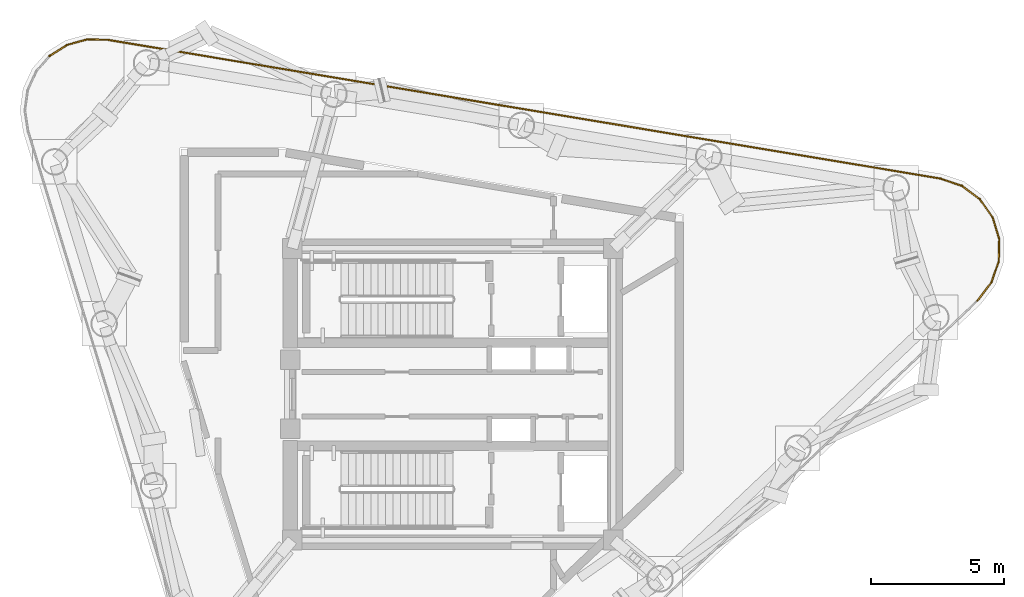
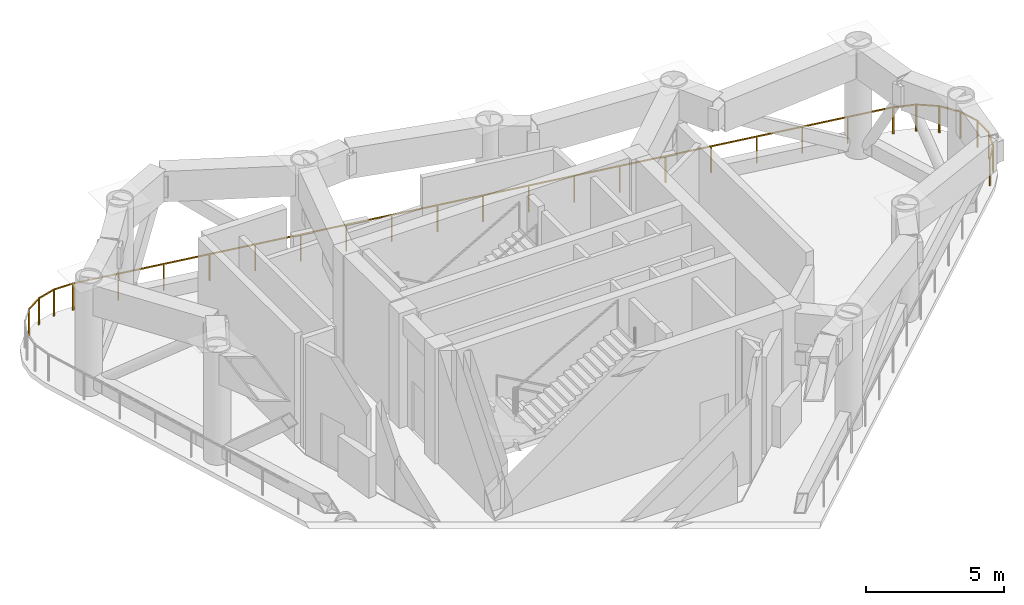
# One storey, part 9 of 9: 11 railings.
"""IFC4 building model written with IfcOpenShell, lengths in metres."""

from ifc_helpers import new_model, si_unit, direction, frame, origin, origin_2d, place, context, subcontext, project, spatial, rectangle, extrude, material, type_object, element, save


model = new_model("IFC4")

# Units and contexts
model_context = context("Model", 3, precision=1e-05, world=origin(), true_north=direction((0.0, 1.0)))
body_context = subcontext(model_context, "Body", "Model", "MODEL_VIEW")
ifc_project = project(units=[si_unit("LENGTHUNIT", "METRE"), si_unit("AREAUNIT", "SQUARE_METRE"), si_unit("VOLUMEUNIT", "CUBIC_METRE"), si_unit("PLANEANGLEUNIT", "RADIAN"), si_unit("MASSUNIT", "GRAM", prefix="KILO")], contexts=[model_context])

# Site, building, storey
site_placement = place(None, origin())
site = spatial("IfcSite", under=ifc_project, at=site_placement, CompositionType="ELEMENT")
building_placement = place(site_placement, origin())
building = spatial("IfcBuilding", under=site, at=building_placement, Name="Yunling Apex Tower", CompositionType="ELEMENT")
storey_placement = place(building_placement, frame((0.0, 0.0, 252.449951171875)))
storey = spatial("IfcBuildingStorey", under=building, at=storey_placement, Name="RF7", CompositionType="ELEMENT", Elevation=252.449951171875)

# Railings
ifc_material = material(Name="Bronze anodised aluminium", Category="aluminium")
railing_type = type_object("IfcRailingType", Name="RL-BAL-1200", PredefinedType="BALUSTRADE", material=ifc_material)
railing_1_placement = place(storey_placement, frame((-15.202392578125, 12.7470703125, 0.0)))
element("IfcRailing", 1, at=railing_1_placement, inside=storey, type_object=railing_type, Name="RL-REF-RF7-06", PredefinedType="BALUSTRADE", context=body_context, shape_type="SweptSolid", body=[
    extrude(rectangle(XDim=0.0439453125, YDim=0.0439453125, at=origin_2d()), origin(), (0.0, 0.0, 1.0), 1.199951171875),
    extrude(rectangle(XDim=0.0439453125, YDim=0.0439453125, at=origin_2d()), frame((0.681396484375, 0.427978515625, 0.0)), (0.0, 0.0, 1.0), 1.199951171875),
    extrude(rectangle(XDim=0.050048828125, YDim=0.050048828125, at=origin_2d()), frame((0.032470703125, 0.0205078125, 1.1748046875), z_axis=(0.846820072253, 0.531879464944, 0.0), x_axis=(-0.531879464944, 0.846820072253, 0.0)), (0.0, 0.0, 1.0), 0.72802734375),
])
railing_2_placement = place(storey_placement, frame((-14.548095703125, 13.1630859375, 0.0)))
element("IfcRailing", 2, at=railing_2_placement, inside=storey, type_object=railing_type, Name="RL-REF-RF7-07", PredefinedType="BALUSTRADE", context=body_context, shape_type="SweptSolid", body=[
    extrude(rectangle(XDim=0.0439453125, YDim=0.0439453125, at=origin_2d()), origin(), (0.0, 0.0, 1.0), 1.199951171875),
    extrude(rectangle(XDim=0.0439453125, YDim=0.0439453125, at=origin_2d()), frame((0.77587890625, 0.215087890625, 0.0)), (0.0, 0.0, 1.0), 1.199951171875),
    extrude(rectangle(XDim=0.050048828125, YDim=0.050048828125, at=origin_2d()), frame((0.036865234375, 0.01025390625, 1.1748046875), z_axis=(0.963656795104, 0.267143372085, 0.0), x_axis=(-0.267143372085, 0.963656795104, 0.0)), (0.0, 0.0, 1.0), 0.728515625),
])
railing_3_placement = place(storey_placement, frame((-13.8017578125, 13.37451171875, 0.0)))
element("IfcRailing", 3, at=railing_3_placement, inside=storey, type_object=railing_type, Name="RL-REF-RF7-08", PredefinedType="BALUSTRADE", context=body_context, shape_type="SweptSolid", body=[
    extrude(rectangle(XDim=0.0439453125, YDim=0.0439453125, at=origin_2d()), origin(), (0.0, 0.0, 1.0), 1.199951171875),
    extrude(rectangle(XDim=0.0439453125, YDim=0.0439453125, at=origin_2d()), frame((0.81787109375, -0.01611328125, 0.0)), (0.0, 0.0, 1.0), 1.199951171875),
    extrude(rectangle(XDim=0.050048828125, YDim=0.050048828125, at=origin_2d()), frame((0.038330078125, -0.000732421875, 1.1748046875), z_axis=(0.999805982075, -0.019697670095, 0.0), x_axis=(0.019697670095, 0.999805982075, 0.0)), (0.0, 0.0, 1.0), 0.741455078125),
])
railing_4_placement = place(storey_placement, frame((-13.013671875, 13.361083984375, 0.0)))
element("IfcRailing", 4, at=railing_4_placement, inside=storey, type_object=railing_type, Name="RL-REF-RF7-09", PredefinedType="BALUSTRADE", context=body_context, shape_type="SweptSolid", body=[
    extrude(rectangle(XDim=0.0439453125, YDim=0.0439453125, at=origin_2d()), origin(), (0.0, 0.0, 1.0), 1.199951171875),
    extrude(rectangle(XDim=0.0439453125, YDim=0.0439453125, at=origin_2d()), frame((31.398193359375, -5.231689453125, 0.0)), (0.0, 0.0, 1.0), 1.199951171875),
    extrude(rectangle(XDim=0.050048828125, YDim=0.050048828125, at=origin_2d()), frame((0.037841796875, -0.00634765625, 1.1748046875), z_axis=(0.986400763686, -0.164357942919, 0.0), x_axis=(0.164357942919, 0.986400763686, 0.0)), (0.0, 0.0, 1.0), 31.75439453125),
    extrude(rectangle(XDim=0.0439453125, YDim=0.0439453125, at=origin_2d()), frame((1.744384765625, -0.29052734375, 0.0)), (0.0, 0.0, 1.0), 1.14599609375),
    extrude(rectangle(XDim=0.0439453125, YDim=0.0439453125, at=origin_2d()), frame((3.48876953125, -0.581298828125, 0.0)), (0.0, 0.0, 1.0), 1.14599609375),
    extrude(rectangle(XDim=0.0439453125, YDim=0.0439453125, at=origin_2d()), frame((5.23291015625, -0.8720703125, 0.0)), (0.0, 0.0, 1.0), 1.14599609375),
    extrude(rectangle(XDim=0.0439453125, YDim=0.0439453125, at=origin_2d()), frame((6.977294921875, -1.16259765625, 0.0)), (0.0, 0.0, 1.0), 1.14599609375),
    extrude(rectangle(XDim=0.0439453125, YDim=0.0439453125, at=origin_2d()), frame((8.7216796875, -1.453125, 0.0)), (0.0, 0.0, 1.0), 1.14599609375),
    extrude(rectangle(XDim=0.0439453125, YDim=0.0439453125, at=origin_2d()), frame((10.466064453125, -1.743896484375, 0.0)), (0.0, 0.0, 1.0), 1.14599609375),
    extrude(rectangle(XDim=0.0439453125, YDim=0.0439453125, at=origin_2d()), frame((12.21044921875, -2.03466796875, 0.0)), (0.0, 0.0, 1.0), 1.14599609375),
    extrude(rectangle(XDim=0.0439453125, YDim=0.0439453125, at=origin_2d()), frame((13.954833984375, -2.3251953125, 0.0)), (0.0, 0.0, 1.0), 1.14599609375),
    extrude(rectangle(XDim=0.0439453125, YDim=0.0439453125, at=origin_2d()), frame((15.69921875, -2.61572265625, 0.0)), (0.0, 0.0, 1.0), 1.14599609375),
    extrude(rectangle(XDim=0.0439453125, YDim=0.0439453125, at=origin_2d()), frame((17.443359375, -2.906494140625, 0.0)), (0.0, 0.0, 1.0), 1.14599609375),
    extrude(rectangle(XDim=0.0439453125, YDim=0.0439453125, at=origin_2d()), frame((19.187744140625, -3.197265625, 0.0)), (0.0, 0.0, 1.0), 1.14599609375),
    extrude(rectangle(XDim=0.0439453125, YDim=0.0439453125, at=origin_2d()), frame((20.93212890625, -3.48779296875, 0.0)), (0.0, 0.0, 1.0), 1.14599609375),
    extrude(rectangle(XDim=0.0439453125, YDim=0.0439453125, at=origin_2d()), frame((22.676513671875, -3.7783203125, 0.0)), (0.0, 0.0, 1.0), 1.14599609375),
    extrude(rectangle(XDim=0.0439453125, YDim=0.0439453125, at=origin_2d()), frame((24.4208984375, -4.069091796875, 0.0)), (0.0, 0.0, 1.0), 1.14599609375),
    extrude(rectangle(XDim=0.0439453125, YDim=0.0439453125, at=origin_2d()), frame((26.1650390625, -4.35986328125, 0.0)), (0.0, 0.0, 1.0), 1.14599609375),
    extrude(rectangle(XDim=0.0439453125, YDim=0.0439453125, at=origin_2d()), frame((27.909423828125, -4.650390625, 0.0)), (0.0, 0.0, 1.0), 1.14599609375),
    extrude(rectangle(XDim=0.0439453125, YDim=0.0439453125, at=origin_2d()), frame((29.65380859375, -4.94091796875, 0.0)), (0.0, 0.0, 1.0), 1.14599609375),
])
railing_5_placement = place(storey_placement, frame((18.355712890625, 8.13671875, 0.0)))
element("IfcRailing", 5, at=railing_5_placement, inside=storey, type_object=railing_type, Name="RL-REF-RF7-10", PredefinedType="BALUSTRADE", context=body_context, shape_type="SweptSolid", body=[
    extrude(rectangle(XDim=0.0439453125, YDim=0.0439453125, at=origin_2d()), origin(), (0.0, 0.0, 1.0), 1.199951171875),
    extrude(rectangle(XDim=0.0439453125, YDim=0.0439453125, at=origin_2d()), frame((0.843017578125, -0.282958984375, 0.0)), (0.0, 0.0, 1.0), 1.199951171875),
    extrude(rectangle(XDim=0.050048828125, YDim=0.050048828125, at=origin_2d()), frame((0.036376953125, -0.01220703125, 1.1748046875), z_axis=(0.948022317756, -0.318203841957, 0.0), x_axis=(0.318203841957, 0.948022317756, 0.0)), (0.0, 0.0, 1.0), 0.8125),
])
railing_6_placement = place(storey_placement, frame((19.172607421875, 7.867431640625, 0.0)))
element("IfcRailing", 6, at=railing_6_placement, inside=storey, type_object=railing_type, Name="RL-REF-RF7-11", PredefinedType="BALUSTRADE", context=body_context, shape_type="SweptSolid", body=[
    extrude(rectangle(XDim=0.0439453125, YDim=0.0439453125, at=origin_2d()), origin(), (0.0, 0.0, 1.0), 1.199951171875),
    extrude(rectangle(XDim=0.0439453125, YDim=0.0439453125, at=origin_2d()), frame((0.701416015625, -0.522705078125, 0.0)), (0.0, 0.0, 1.0), 1.199951171875),
    extrude(rectangle(XDim=0.050048828125, YDim=0.050048828125, at=origin_2d()), frame((0.03076171875, -0.02294921875, 1.1748046875), z_axis=(0.801838253073, -0.597541141604, 0.0), x_axis=(0.597541141604, 0.801838253073, 0.0)), (0.0, 0.0, 1.0), 0.798095703125),
])
railing_7_placement = place(storey_placement, frame((19.853515625, 7.365966796875, 0.0)))
element("IfcRailing", 7, at=railing_7_placement, inside=storey, type_object=railing_type, Name="RL-REF-RF7-12", PredefinedType="BALUSTRADE", context=body_context, shape_type="SweptSolid", body=[
    extrude(rectangle(XDim=0.0439453125, YDim=0.0439453125, at=origin_2d()), origin(), (0.0, 0.0, 1.0), 1.199951171875),
    extrude(rectangle(XDim=0.0439453125, YDim=0.0439453125, at=origin_2d()), frame((0.503662109375, -0.71533203125, 0.0)), (0.0, 0.0, 1.0), 1.199951171875),
    extrude(rectangle(XDim=0.050048828125, YDim=0.050048828125, at=origin_2d()), frame((0.02197265625, -0.03125, 1.1748046875), z_axis=(0.575707676343, -0.817655594612, 0.0), x_axis=(0.817655594612, 0.575707676343, 0.0)), (0.0, 0.0, 1.0), 0.798095703125),
])
railing_8_placement = place(storey_placement, frame((20.34423828125, 6.67724609375, 0.0)))
element("IfcRailing", 8, at=railing_8_placement, inside=storey, type_object=railing_type, Name="RL-REF-RF7-13", PredefinedType="BALUSTRADE", context=body_context, shape_type="SweptSolid", body=[
    extrude(rectangle(XDim=0.0439453125, YDim=0.0439453125, at=origin_2d()), origin(), (0.0, 0.0, 1.0), 1.199951171875),
    extrude(rectangle(XDim=0.0439453125, YDim=0.0439453125, at=origin_2d()), frame((0.255615234375, -0.836669921875, 0.0)), (0.0, 0.0, 1.0), 1.199951171875),
    extrude(rectangle(XDim=0.050048828125, YDim=0.050048828125, at=origin_2d()), frame((0.01123046875, -0.03662109375, 1.1748046875), z_axis=(0.292183085822, -0.956362402209, 0.0), x_axis=(0.956362402209, 0.292183085822, 0.0)), (0.0, 0.0, 1.0), 0.798095703125),
])
railing_9_placement = place(storey_placement, frame((20.595947265625, 5.8701171875, 0.0)))
element("IfcRailing", 9, at=railing_9_placement, inside=storey, type_object=railing_type, Name="RL-REF-RF7-14", PredefinedType="BALUSTRADE", context=body_context, shape_type="SweptSolid", body=[
    extrude(rectangle(XDim=0.0439453125, YDim=0.0439453125, at=origin_2d()), origin(), (0.0, 0.0, 1.0), 1.199951171875),
    extrude(rectangle(XDim=0.0439453125, YDim=0.0439453125, at=origin_2d()), frame((-0.017822265625, -0.874755859375, 0.0)), (0.0, 0.0, 1.0), 1.199951171875),
    extrude(rectangle(XDim=0.050048828125, YDim=0.050048828125, at=origin_2d()), frame((-0.000732421875, -0.038330078125, 1.1748046875), z_axis=(-0.020369760979, -0.999792514894, 0.0), x_axis=(0.999792514894, -0.020369760979, 0.0)), (0.0, 0.0, 1.0), 0.79833984375),
])
railing_10_placement = place(storey_placement, frame((20.58349609375, 5.0244140625, 0.0)))
element("IfcRailing", 10, at=railing_10_placement, inside=storey, type_object=railing_type, Name="RL-REF-RF7-15", PredefinedType="BALUSTRADE", context=body_context, shape_type="SweptSolid", body=[
    extrude(rectangle(XDim=0.0439453125, YDim=0.0439453125, at=origin_2d()), origin(), (0.0, 0.0, 1.0), 1.199951171875),
    extrude(rectangle(XDim=0.0439453125, YDim=0.0439453125, at=origin_2d()), frame((-0.289306640625, -0.82568359375, 0.0)), (0.0, 0.0, 1.0), 1.199951171875),
    extrude(rectangle(XDim=0.050048828125, YDim=0.050048828125, at=origin_2d()), frame((-0.0126953125, -0.0361328125, 1.1748046875), z_axis=(-0.330673580656, -0.943745189686, 0.0), x_axis=(0.943745189686, -0.330673580656, 0.0)), (0.0, 0.0, 1.0), 0.79833984375),
])
railing_11_placement = place(storey_placement, frame((20.308349609375, 4.224853515625, 0.0)))
element("IfcRailing", 11, at=railing_11_placement, inside=storey, type_object=railing_type, Name="RL-REF-RF7-16", PredefinedType="BALUSTRADE", context=body_context, shape_type="SweptSolid", body=[
    extrude(rectangle(XDim=0.0439453125, YDim=0.0439453125, at=origin_2d()), origin(), (0.0, 0.0, 1.0), 1.199951171875),
    extrude(rectangle(XDim=0.0439453125, YDim=0.0439453125, at=origin_2d()), frame((-0.541015625, -0.7060546875, 0.0)), (0.0, 0.0, 1.0), 1.199951171875),
    extrude(rectangle(XDim=0.050048828125, YDim=0.050048828125, at=origin_2d()), frame((-0.023193359375, -0.030517578125, 1.1748046875), z_axis=(-0.608224086273, -0.793765368908, 0.0), x_axis=(0.793765368908, -0.608224086273, 0.0)), (0.0, 0.0, 1.0), 0.812744140625),
])

save(model, "model.ifc")
